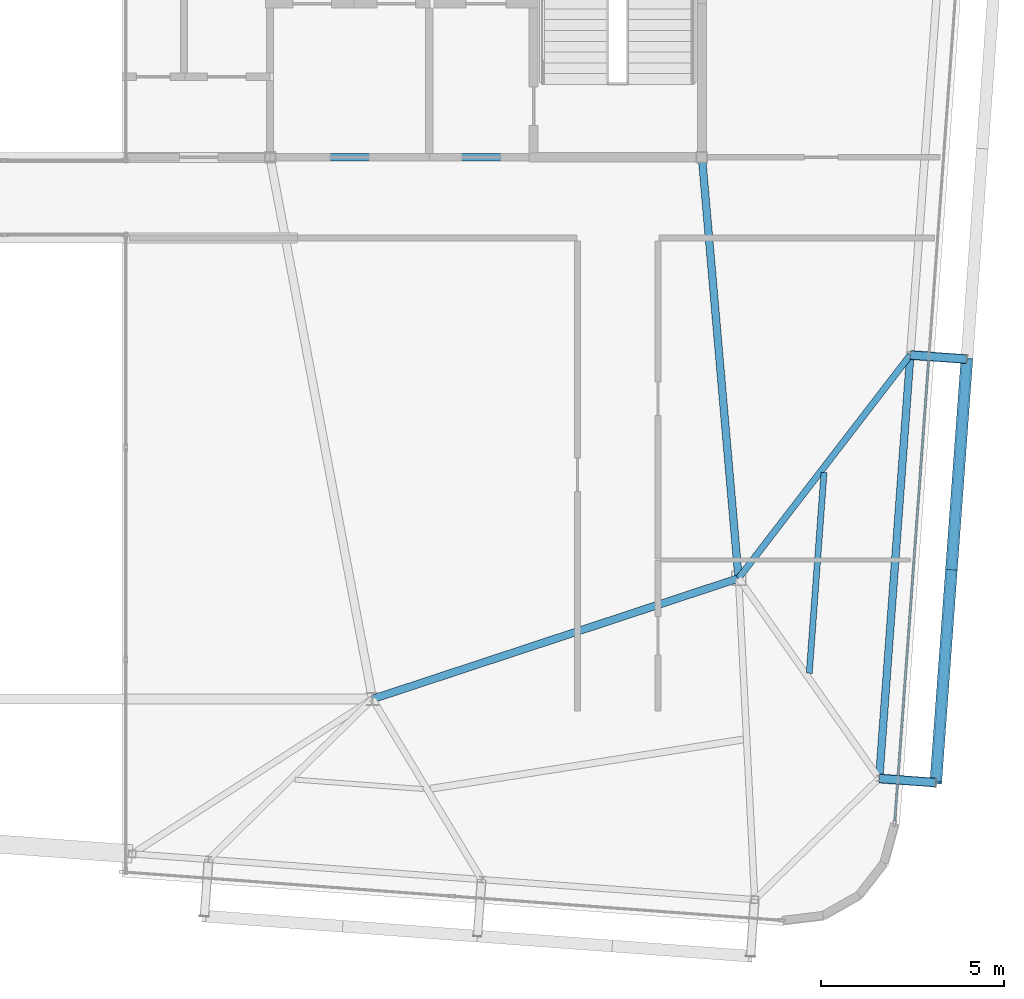
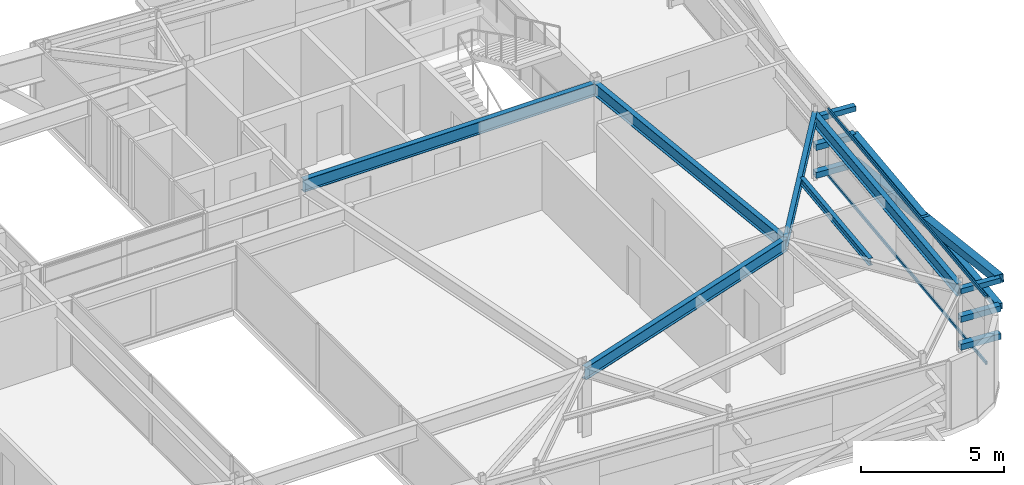
# One storey, part 20 of 40: 11 members, 6 beams, 1 element without a shape of its own.
"""IFC4 building model written with IfcOpenShell, lengths in metres."""

from ifc_helpers import new_model, si_unit, direction, frame, origin, origin_2d, place, context, subcontext, project, spatial, hollow_rectangle, i_section, extrude, source, transform, mapped, material, layer, layer_set, material_profile, profile_set, type_object, element, aggregate, save


model = new_model("IFC4")

# Units and contexts
model_context = context("Model", 3, precision=1e-05, world=origin(), true_north=direction((0.0, 1.0)))
body_context = subcontext(model_context, "Body", "Model", "MODEL_VIEW")
ifc_project = project(units=[si_unit("LENGTHUNIT", "METRE"), si_unit("AREAUNIT", "SQUARE_METRE"), si_unit("VOLUMEUNIT", "CUBIC_METRE"), si_unit("PLANEANGLEUNIT", "RADIAN"), si_unit("MASSUNIT", "GRAM", prefix="KILO")], contexts=[model_context])

# Site, building, storey
site_placement = place(None, origin())
site = spatial("IfcSite", under=ifc_project, at=site_placement, CompositionType="ELEMENT")
building_placement = place(site_placement, origin())
building = spatial("IfcBuilding", under=site, at=building_placement, Name="Taldren Reach Tower", CompositionType="ELEMENT")
storey_placement = place(building_placement, frame((0.0, 0.0, 233.449951171875)))
storey = spatial("IfcBuildingStorey", under=building, at=storey_placement, Name="L71", CompositionType="ELEMENT", Elevation=233.449951171875)

# Beams
ifc_material_1 = material(Name="Steel Gr 350 (350PLUS)", Category="steel")
ifc_material_profile_1 = material_profile(ifc_material_1, i_section(OverallWidth=0.208984375, OverallDepth=0.532958984375, WebThickness=0.01025390625, FlangeThickness=0.015625, at=origin_2d()), Name="530UB92.4")
ifc_profile_set_1 = profile_set([ifc_material_profile_1], Name="Steel Gr 350 (350PLUS)")
beam_type_1 = type_object("IfcBeamType", Name="BM-UB530A", PredefinedType="BEAM", material=ifc_profile_set_1)
shared_shape_1 = source(origin(), body_context, "Body", "SweptSolid", [
    extrude(i_section(OverallWidth=0.208984375, OverallDepth=0.532958984375, WebThickness=0.01025390625, FlangeThickness=0.015625, at=origin_2d()), origin(), (0.0, 0.0, 1.0), 11.800048828125),
])
beam_1_placement = place(storey_placement, frame((39.199951171875, 24.0, 2.603515625), z_axis=(1.0, 0.0, 0.0), x_axis=(0.0, 1.0, 0.0)))
element("IfcBeam", 1, at=beam_1_placement, inside=storey, type_object=beam_type_1, Name="Core-spine girder L71-SP03", PredefinedType="BEAM", context=body_context, shape_type="MappedRepresentation", body=[
    mapped(shared_shape_1, transform((0.0, 0.0, 0.0), scale=1.0)),
])
shared_shape_2 = source(origin(), body_context, "Body", "SweptSolid", [
    extrude(i_section(OverallWidth=0.208984375, OverallDepth=0.532958984375, WebThickness=0.01025390625, FlangeThickness=0.015625, at=origin_2d()), origin(), (0.0, 0.0, 1.0), 11.54345703125),
])
beam_2_placement = place(storey_placement, frame((52.0, 12.5, 2.603515625), z_axis=(-0.086629616365, 0.996240588196, 0.0), x_axis=(-0.996240588196, -0.086629616365, 0.0)))
element("IfcBeam", 2, at=beam_2_placement, inside=storey, type_object=beam_type_1, Name="Core-spine girder L71-SP13", PredefinedType="BEAM", context=body_context, shape_type="MappedRepresentation", body=[
    mapped(shared_shape_2, transform((0.0, 0.0, 0.0), scale=1.0)),
])
shared_shape_3 = source(origin(), body_context, "Body", "SweptSolid", [
    extrude(i_section(OverallWidth=0.208984375, OverallDepth=0.532958984375, WebThickness=0.01025390625, FlangeThickness=0.015625, at=origin_2d()), origin(), (0.0, 0.0, 1.0), 10.530517578125),
])
beam_3_placement = place(storey_placement, frame((42.0, 9.199951171875, 2.603515625), z_axis=(0.949627269203, 0.313381635689, 0.0), x_axis=(-0.313381635689, 0.949627269203, 0.0)))
element("IfcBeam", 3, at=beam_3_placement, inside=storey, type_object=beam_type_1, Name="Core-spine girder L71-SP12", PredefinedType="BEAM", context=body_context, shape_type="MappedRepresentation", body=[
    mapped(shared_shape_3, transform((0.0, 0.0, 0.0), scale=1.0)),
])
ifc_material_profile_2 = material_profile(ifc_material_1, i_section(OverallWidth=0.208984375, OverallDepth=0.528076171875, WebThickness=0.009521484375, FlangeThickness=0.01318359375, at=origin_2d()), Name="530UB82.0")
ifc_profile_set_2 = profile_set([ifc_material_profile_2], Name="Steel Gr 350 (350PLUS)")
beam_type_2 = type_object("IfcBeamType", Name="SP-UB530B", PredefinedType="SPANDREL", material=ifc_profile_set_2)
shared_shape_4 = source(origin(), body_context, "Body", "SweptSolid", [
    extrude(i_section(OverallWidth=0.208984375, OverallDepth=0.528076171875, WebThickness=0.009521484375, FlangeThickness=0.01318359375, at=origin_2d()), origin(), (0.0, 0.0, 1.0), 11.60009765625),
])
beam_4_placement = place(storey_placement, frame((55.841796875, 7.031005859375, 2.60595703125), z_axis=(0.073242167855, 0.997314185625, 0.0), x_axis=(-0.997314185625, 0.073242167855, 0.0)))
element("IfcBeam", 4, at=beam_4_placement, inside=storey, type_object=beam_type_2, Name="Perimeter spandrel B5 E1-E2 L71", PredefinedType="SPANDREL", context=body_context, shape_type="MappedRepresentation", body=[
    mapped(shared_shape_4, transform((0.0, 0.0, 0.0), scale=1.0)),
])
ifc_material_profile_3 = material_profile(ifc_material_1, i_section(OverallWidth=0.177978515625, OverallDepth=0.406005859375, WebThickness=0.0078125, FlangeThickness=0.0126953125, at=origin_2d()), Name="410UB59.7")
ifc_profile_set_3 = profile_set([ifc_material_profile_3], Name="Steel Gr 350 (350PLUS)")
beam_type_3 = type_object("IfcBeamType", Name="BM-UB410", PredefinedType="BEAM", material=ifc_profile_set_3)
shared_shape_5 = source(origin(), body_context, "Body", "SweptSolid", [
    extrude(i_section(OverallWidth=0.177978515625, OverallDepth=0.406005859375, WebThickness=0.0078125, FlangeThickness=0.0126953125, at=origin_2d()), origin(), (0.0, 0.0, 1.0), 7.6953125),
])
beam_5_placement = place(storey_placement, frame((52.0, 12.5, 2.6669921875), z_axis=(0.609646363361, 0.792673521471, 0.0), x_axis=(-0.792673521471, 0.609646363361, 0.0)))
element("IfcBeam", 5, at=beam_5_placement, inside=storey, type_object=beam_type_3, Name="Primary floor girder B5-E2 L71", PredefinedType="BEAM", context=body_context, shape_type="MappedRepresentation", body=[
    mapped(shared_shape_5, transform((0.0, 0.0, 0.0), scale=1.0)),
])
ifc_material_2 = material(Name="Steel Gr 300 (300PLUS, 300 MPa)", Category="steel")
ifc_material_profile_4 = material_profile(ifc_material_2, i_section(OverallWidth=0.166015625, OverallDepth=0.306884765625, WebThickness=0.006591796875, FlangeThickness=0.01171875, at=origin_2d()), Name="310UB46.2")
ifc_profile_set_4 = profile_set([ifc_material_profile_4], Name="Steel Gr 300 (300PLUS, 300 MPa)")
beam_type_4 = type_object("IfcBeamType", Name="JS-UB310", PredefinedType="JOIST", material=ifc_profile_set_4)
shared_shape_6 = source(origin(), body_context, "Body", "SweptSolid", [
    extrude(i_section(OverallWidth=0.166015625, OverallDepth=0.306884765625, WebThickness=0.006591796875, FlangeThickness=0.01171875, at=origin_2d()), origin(), (0.0, 0.0, 1.0), 5.49755859375),
])
beam_6_placement = place(storey_placement, frame((53.93115234375, 9.905517578125, 2.716552734375), z_axis=(0.073228814191, 0.99731516622, 0.0), x_axis=(-0.99731516622, 0.073228814191, 0.0)))
element("IfcBeam", 6, at=beam_6_placement, inside=storey, type_object=beam_type_4, Name="Secondary floor joist B5 J7 L71", PredefinedType="JOIST", context=body_context, shape_type="MappedRepresentation", body=[
    mapped(shared_shape_6, transform((0.0, 0.0, 0.0), scale=1.0)),
])

# Members
ifc_material_3 = material(Name="Steel Gr 450 (C450L0)", Category="steel")
ifc_material_profile_5 = material_profile(ifc_material_3, hollow_rectangle(XDim=0.219970703125, YDim=0.219970703125, WallThickness=0.00830078125, at=origin_2d()), Name="220x220x8.2SHS")
ifc_profile_set_5 = profile_set([ifc_material_profile_5], Name="Steel Gr 450 (C450L0)")
member_type_1 = type_object("IfcMemberType", Name="MB-TIE219", PredefinedType="STRUT", material=ifc_profile_set_5)
shared_shape_7 = source(origin(), body_context, "Body", "SweptSolid", [
    extrude(hollow_rectangle(XDim=0.219970703125, YDim=0.219970703125, WallThickness=0.00830078125, at=origin_2d()), origin(), (0.0, 0.0, 1.0), 1.5458984375),
])
member_1_placement = place(storey_placement, frame((56.6953125, 18.599365234375, 2.590087890625), z_axis=(0.99732305975, -0.073121231459, 0.0), x_axis=(0.073121231459, 0.99732305975, 0.0)))
element("IfcMember", 7, at=member_1_placement, inside=storey, type_object=member_type_1, Name="Exoskeleton diaphragm tie strut B5-E2 L71", PredefinedType="STRUT", context=body_context, shape_type="MappedRepresentation", body=[
    mapped(shared_shape_7, transform((0.0, 0.0, 0.0), scale=1.0)),
])
shared_shape_8 = source(origin(), body_context, "Body", "SweptSolid", [
    extrude(hollow_rectangle(XDim=0.219970703125, YDim=0.219970703125, WallThickness=0.00830078125, at=origin_2d()), origin(), (0.0, 0.0, 1.0), 1.546142578125),
])
member_2_placement = place(storey_placement, frame((55.845703125, 7.030517578125, 2.590087890625), z_axis=(0.997323903953, -0.073109716202, 0.0), x_axis=(0.073109716202, 0.997323903953, 0.0)))
element("IfcMember", 8, at=member_2_placement, inside=storey, type_object=member_type_1, Name="Exoskeleton diaphragm tie strut B5-E1 L71", PredefinedType="STRUT", context=body_context, shape_type="MappedRepresentation", body=[
    mapped(shared_shape_8, transform((0.0, 0.0, 0.0), scale=1.0)),
])
ifc_material_4 = material(Name="Steel Gr 350 (C350L0)", Category="steel")
ifc_material_profile_6 = material_profile(ifc_material_4, hollow_rectangle(XDim=0.25, YDim=0.25, WallThickness=0.010009765625, at=origin_2d()), Name="250x250x10.0SHS")
ifc_profile_set_6 = profile_set([ifc_material_profile_6], Name="Steel Gr 350 (C350L0)")
member_type_2 = type_object("IfcMemberType", Name="MB-POST250", PredefinedType="POST", material=ifc_profile_set_6)
shared_shape_9 = source(origin(), body_context, "Body", "SweptSolid", [
    extrude(hollow_rectangle(XDim=0.25, YDim=0.25, WallThickness=0.010009765625, at=origin_2d()), origin(), (0.0, 0.0, 1.0), 11.60009765625),
])
member_3_placement = place(storey_placement, frame((57.3876953125, 6.91748046875, 1.405029296875), z_axis=(0.073221234109, 0.997315722766, 0.0), x_axis=(-0.997315722766, 0.073221234109, 0.0)))
element("IfcMember", 9, at=member_3_placement, inside=storey, type_object=member_type_2, Name="Exoskeleton mid-height ring chord B5-E1 L71", PredefinedType="POST", context=body_context, shape_type="MappedRepresentation", body=[
    mapped(shared_shape_9, transform((0.0, 0.0, 0.0), scale=1.0)),
])
shared_shape_10 = source(origin(), body_context, "Body", "SweptSolid", [
    extrude(hollow_rectangle(XDim=0.25, YDim=0.25, WallThickness=0.010009765625, at=origin_2d()), origin(), (0.0, 0.0, 1.0), 1.5458984375),
])
for number, where, z_axis, x_axis, name in (
    (10, (56.6953125, 18.599365234375, 0.219970703125), (0.99732305975, -0.073121231459, 0.0), (0.073121231459, 0.99732305975, 0.0), "Exoskeleton base diaphragm tie strut B5-E2 L71"),
    (11, (56.6953125, 18.599365234375, 1.405029296875), (0.99732305975, -0.073121231459, 0.0), (0.073121231459, 0.99732305975, 0.0), "Exoskeleton mid-tier diaphragm tie B5-E2 L71"),
):
    element("IfcMember", number, at=place(storey_placement, frame(where, z_axis=z_axis, x_axis=x_axis)), inside=storey, type_object=member_type_2, Name=name, PredefinedType="POST", context=body_context, shape_type="MappedRepresentation", body=[
        mapped(shared_shape_10, transform((0.0, 0.0, 0.0), scale=1.0)),
    ])
shared_shape_11 = source(origin(), body_context, "Body", "SweptSolid", [
    extrude(hollow_rectangle(XDim=0.25, YDim=0.25, WallThickness=0.010009765625, at=origin_2d()), origin(), (0.0, 0.0, 1.0), 1.546142578125),
])
for number, where, z_axis, x_axis, name in (
    (12, (55.845703125, 7.030517578125, 0.219970703125), (0.997323903953, -0.073109716202, 0.0), (0.073109716202, 0.997323903953, 0.0), "Exoskeleton base diaphragm tie strut B5-E1 L71"),
    (13, (55.845703125, 7.030517578125, 1.405029296875), (0.997323903953, -0.073109716202, 0.0), (0.073109716202, 0.997323903953, 0.0), "Exoskeleton mid-tier diaphragm tie B5-E1 L71"),
):
    element("IfcMember", number, at=place(storey_placement, frame(where, z_axis=z_axis, x_axis=x_axis)), inside=storey, type_object=member_type_2, Name=name, PredefinedType="POST", context=body_context, shape_type="MappedRepresentation", body=[
        mapped(shared_shape_11, transform((0.0, 0.0, 0.0), scale=1.0)),
    ])
ifc_material_profile_7 = material_profile(ifc_material_3, hollow_rectangle(XDim=0.324951171875, YDim=0.324951171875, WallThickness=0.0126953125, at=origin_2d()), Name="325x325x12.7SHS")
ifc_profile_set_7 = profile_set([ifc_material_profile_7], Name="Steel Gr 450 (C450L0)")
member_type_3 = type_object("IfcMemberType", Name="MB-BR324", PredefinedType="BRACE", material=ifc_profile_set_7)
shared_shape_12 = source(origin(), body_context, "Body", "SweptSolid", [
    extrude(hollow_rectangle(XDim=0.324951171875, YDim=0.324951171875, WallThickness=0.0126953125, at=origin_2d()), origin(), (0.0, 0.0, 1.0), 5.919921875),
])
for number, where, z_axis, x_axis, name in (
    (14, (58.237060546875, 18.486328125, 0.219970703125), (-0.071759614668, -0.977126753058, 0.200184580228), (0.997314185625, -0.073242167855, 0.0), "Exoskeleton Diagrid Brace B5-E1 L71"),
    (15, (57.812255859375, 12.701904296875, 1.405029296875), (-0.071718585697, -0.977129643997, 0.200185172497), (0.997317259472, -0.073200300267, 0.0), "Exoskeleton Diagrid Brace B5-E1 L71"),
):
    element("IfcMember", number, at=place(storey_placement, frame(where, z_axis=z_axis, x_axis=x_axis)), inside=storey, type_object=member_type_3, Name=name, PredefinedType="BRACE", context=body_context, shape_type="MappedRepresentation", body=[
        mapped(shared_shape_12, transform((0.0, 0.0, 0.0), scale=1.0)),
    ])

# Curtain wall, members
ifc_material_5 = material(Name="Aluminium and Low-E Glass Unitised System", Category="aluminium")
ifc_layer = layer(ifc_material_5, 0.159912109375)
ifc_layer_set = layer_set([ifc_layer], Name="Aluminium and Low-E Glass Unitised System")
curtain_wall_type = type_object("IfcCurtainWallType", Name="CW-SYS-7", PredefinedType="NOTDEFINED", material=ifc_layer_set)
curtain_wall_placement = place(storey_placement, origin())
curtain_wall = element("IfcCurtainWall", 16, at=curtain_wall_placement, inside=storey, type_object=curtain_wall_type, Name="Unitised curtain wall CW-L71-E", PredefinedType="NOTDEFINED")
ifc_material_6 = material(Name="Anodised Aluminium 6063-T6", Category="aluminium")
ifc_material_profile_8 = material_profile(ifc_material_6, hollow_rectangle(XDim=0.06005859375, YDim=0.135009765625, WallThickness=0.00341796875, at=origin_2d()), Name="ALU-135x60x3.5RHS")
ifc_profile_set_8 = profile_set([ifc_material_profile_8], Name="Anodised Aluminium 6063-T6")
member_type_4 = type_object("IfcMemberType", Name="CW-TRN-150", PredefinedType="USERDEFINED", material=ifc_profile_set_8)
shared_shape_13 = source(origin(), body_context, "Body", "SweptSolid", [
    extrude(hollow_rectangle(XDim=0.06005859375, YDim=0.135009765625, WallThickness=0.00341796875, at=origin_2d()), origin(), (0.0, 0.0, 1.0), 12.6875),
])
member_4_placement = place(storey_placement, frame((56.26806640625, 5.87158203125, 0.030029296875), z_axis=(0.073237997916, 0.997314491854, 0.0), x_axis=(-0.997314491854, 0.073237997916, 0.0)))
member_4 = element("IfcMember", 17, at=member_4_placement, type_object=member_type_4, Name="CW-7 transom 1.1", ObjectType="TRANSOM", PredefinedType="USERDEFINED", context=body_context, shape_type="MappedRepresentation", body=[
    mapped(shared_shape_13, transform((0.0, 0.0, 0.0), scale=1.0)),
])
member_5_placement = place(storey_placement, frame((56.26806640625, 5.87158203125, 2.840087890625), z_axis=(0.073237997916, 0.997314491854, 0.0), x_axis=(-0.997314491854, 0.073237997916, 0.0)))
member_5 = element("IfcMember", 18, at=member_5_placement, type_object=member_type_4, Name="CW-7 transom 1.2", ObjectType="TRANSOM", PredefinedType="USERDEFINED", context=body_context, shape_type="MappedRepresentation", body=[
    mapped(shared_shape_13, transform((0.0, 0.0, 0.0), scale=1.0)),
])
aggregate(curtain_wall, [member_4, member_5])

save(model, "model.ifc")
